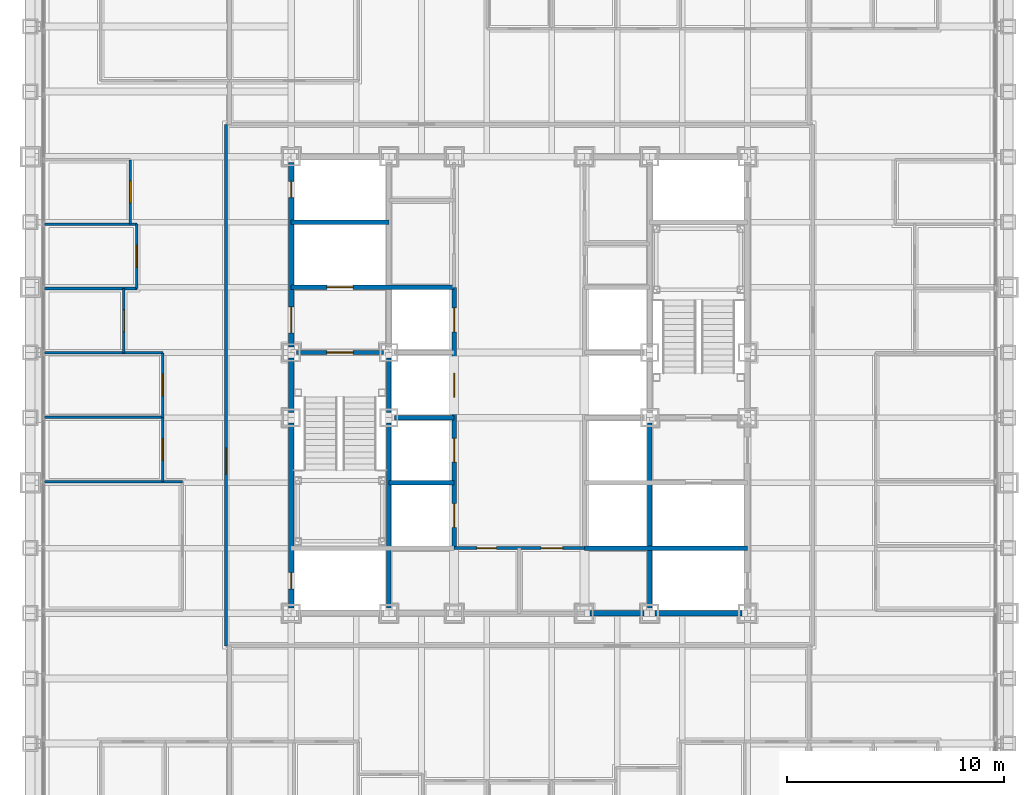
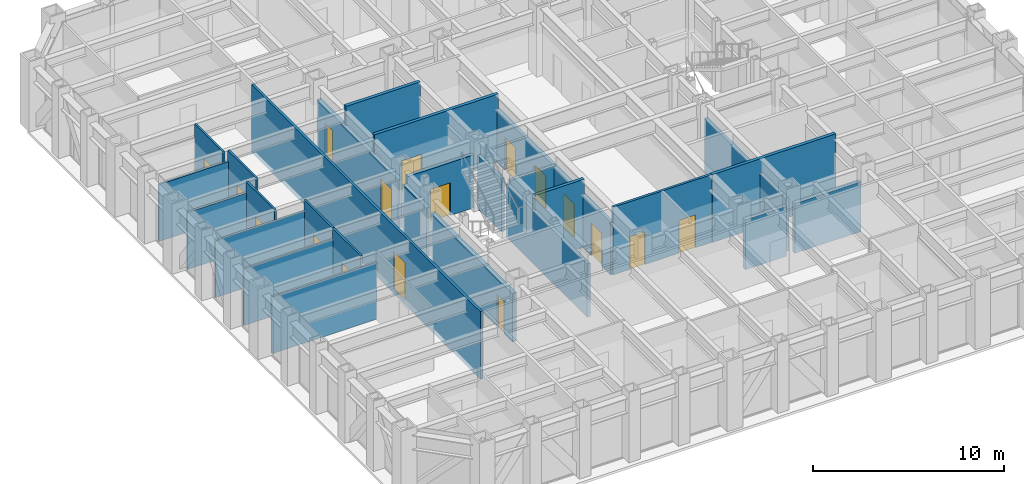
# One storey, part 9 of 16: 27 walls, 17 doors, 17 openings.
"""IFC4 building model written with IfcOpenShell, lengths in metres."""

from ifc_helpers import new_model, si_unit, direction, frame, frame_2d, origin, place, context, subcontext, project, spatial, rectangle, extrude, material, layer, layer_set, type_object, element, fill, save


model = new_model("IFC4")

# Units and contexts
model_context = context("Model", 3, precision=1e-05, world=origin(), true_north=direction((0.0, 1.0)))
body_context = subcontext(model_context, "Body", "Model", "MODEL_VIEW")
ifc_project = project(units=[si_unit("LENGTHUNIT", "METRE"), si_unit("AREAUNIT", "SQUARE_METRE"), si_unit("VOLUMEUNIT", "CUBIC_METRE"), si_unit("PLANEANGLEUNIT", "RADIAN"), si_unit("MASSUNIT", "GRAM", prefix="KILO")], contexts=[model_context])

# Site, building, storey
site_placement = place(None, origin())
site = spatial("IfcSite", under=ifc_project, at=site_placement, CompositionType="ELEMENT")
building_placement = place(site_placement, origin())
building = spatial("IfcBuilding", under=site, at=building_placement, Name="Chuquiago Exchange Tower", CompositionType="ELEMENT")
storey_placement = place(building_placement, frame((0.0, 0.0, 78.300048828125)))
storey = spatial("IfcBuildingStorey", under=building, at=storey_placement, Name="L16", CompositionType="ELEMENT", Elevation=78.300048828125)

# Wall, opening, door
ifc_material_1 = material(Name="Concrete masonry, fully grouted", Category="masonry")
ifc_layer_1 = layer(ifc_material_1, 0.25)
ifc_layer_set_1 = layer_set([ifc_layer_1], Name="W1 core wall 250")
wall_type_1 = type_object("IfcWallType", Name="W1 core wall 250", PredefinedType="SOLIDWALL", material=ifc_layer_set_1)
wall_1_placement = place(storey_placement, frame((12.0, 12.25, 0.0), z_axis=(0.0, 0.0, 1.0), x_axis=(0.0, 1.0, 0.0)))
wall_1 = element("IfcWall", 1, at=wall_1_placement, inside=storey, type_object=wall_type_1, Name="CW-L16-00-0", PredefinedType="SOLIDWALL", context=body_context, shape_type="SweptSolid", body=[
    extrude(rectangle(XDim=8.5, YDim=0.25, at=frame_2d((4.25, 0.0))), origin(), (0.0, 0.0, 1.0), 3.11279296875),
])
opening_1_placement = place(wall_1_placement, frame((0.875, 0.0, 0.0)))
opening_1 = element("IfcOpeningElement", 2, at=opening_1_placement, cuts=wall_1, Name="Opening L16-007", PredefinedType="OPENING", context=body_context, shape_type="SweptSolid", body=[
    extrude(rectangle(XDim=0.75, YDim=2.10009765625, at=frame_2d((0.375, 1.050048828125))), frame((0.0, 0.135009765625, 0.0), z_axis=(0.0, -1.0, 0.0), x_axis=(1.0, 0.0, 0.0)), (0.0, 0.0, 1.0), 0.27001953125),
])
ifc_material_2 = material(Name="Steel door, painted", Category="steel")
door_type_1 = type_object("IfcDoorType", Name="D6 riser access door 750x2100", OperationType="SINGLE_SWING_LEFT", PredefinedType="DOOR", material=ifc_material_2)
door_1_placement = place(opening_1_placement, origin())
door_1 = element("IfcDoor", 3, at=door_1_placement, inside=storey, type_object=door_type_1, Name="Riser RW1 door", OperationType="SINGLE_SWING_LEFT", OverallHeight=2.10009765625, OverallWidth=0.75, PredefinedType="DOOR", context=body_context, shape_type="SweptSolid", body=[
    extrude(rectangle(XDim=0.75, YDim=2.10009765625, at=frame_2d((0.375, 1.050048828125))), frame((0.0, 0.02490234375, 0.0), z_axis=(0.0, -1.0, 0.0), x_axis=(1.0, 0.0, 0.0)), (0.0, 0.0, 1.0), 0.050048828125),
])
fill(opening_1, door_1)

# Wall
wall_2_placement = place(storey_placement, frame((12.0, 21.25, 0.0), z_axis=(0.0, 0.0, 1.0), x_axis=(0.0, 1.0, 0.0)))
element("IfcWall", 4, at=wall_2_placement, inside=storey, type_object=wall_type_1, Name="CW-L16-00-1", PredefinedType="SOLIDWALL", context=body_context, shape_type="SweptSolid", body=[
    extrude(rectangle(XDim=2.5, YDim=0.25, at=frame_2d((1.25, 0.0))), origin(), (0.0, 0.0, 1.0), 3.11279296875),
])

# Wall, openings, doors
wall_3_placement = place(storey_placement, frame((12.0, 24.25, 0.0), z_axis=(0.0, 0.0, 1.0), x_axis=(0.0, 1.0, 0.0)))
wall_3 = element("IfcWall", 5, at=wall_3_placement, inside=storey, type_object=wall_type_1, Name="CW-L16-00-2", PredefinedType="SOLIDWALL", context=body_context, shape_type="SweptSolid", body=[
    extrude(rectangle(XDim=8.5, YDim=0.25, at=frame_2d((4.25, 0.0))), origin(), (0.0, 0.0, 1.0), 3.11279296875),
])
opening_2_placement = place(wall_3_placement, frame((0.64990234375, 0.0, 0.0)))
opening_2 = element("IfcOpeningElement", 6, at=opening_2_placement, cuts=wall_3, Name="Opening L16-002", PredefinedType="OPENING", context=body_context, shape_type="SweptSolid", body=[
    extrude(rectangle(XDim=1.199951171875, YDim=2.10009765625, at=frame_2d((0.60009765625, 1.050048828125))), frame((0.0, 0.135009765625, 0.0), z_axis=(0.0, -1.0, 0.0), x_axis=(1.0, 0.0, 0.0)), (0.0, 0.0, 1.0), 0.27001953125),
])
opening_3_placement = place(wall_3_placement, frame((6.875, 0.0, 0.0)))
opening_3 = element("IfcOpeningElement", 7, at=opening_3_placement, cuts=wall_3, Name="Opening L16-008", PredefinedType="OPENING", context=body_context, shape_type="SweptSolid", body=[
    extrude(rectangle(XDim=0.75, YDim=2.10009765625, at=frame_2d((0.375, 1.050048828125))), frame((0.0, 0.135009765625, 0.0), z_axis=(0.0, -1.0, 0.0), x_axis=(1.0, 0.0, 0.0)), (0.0, 0.0, 1.0), 0.27001953125),
])
ifc_material_3 = material(Name="Steel door, painted", Category="steel")
door_type_2 = type_object("IfcDoorType", Name="D5 firefighting lobby door 1200x2100", OperationType="SINGLE_SWING_LEFT", PredefinedType="DOOR", material=ifc_material_3)
door_2_placement = place(opening_2_placement, frame((1.199951171875, 0.0, 0.0), z_axis=(0.0, 0.0, 1.0), x_axis=(-1.0, 0.0, 0.0)))
door_2 = element("IfcDoor", 8, at=door_2_placement, inside=storey, type_object=door_type_2, Name="Firefighting lobby 1 door", OperationType="SINGLE_SWING_RIGHT", OverallHeight=2.10009765625, OverallWidth=1.199951171875, PredefinedType="DOOR", context=body_context, shape_type="SweptSolid", body=[
    extrude(rectangle(XDim=1.199951171875, YDim=2.10009765625, at=frame_2d((0.60009765625, 1.050048828125))), frame((0.0, 0.02490234375, 0.0), z_axis=(0.0, -1.0, 0.0), x_axis=(1.0, 0.0, 0.0)), (0.0, 0.0, 1.0), 0.050048828125),
])
fill(opening_2, door_2)
door_3_placement = place(opening_3_placement, origin())
door_3 = element("IfcDoor", 9, at=door_3_placement, inside=storey, type_object=door_type_1, Name="Riser RW2 door", OperationType="SINGLE_SWING_RIGHT", OverallHeight=2.10009765625, OverallWidth=0.75, PredefinedType="DOOR", context=body_context, shape_type="SweptSolid", body=[
    extrude(rectangle(XDim=0.75, YDim=2.10009765625, at=frame_2d((0.375, 1.050048828125))), frame((0.0, 0.02490234375, 0.0), z_axis=(0.0, -1.0, 0.0), x_axis=(1.0, 0.0, 0.0)), (0.0, 0.0, 1.0), 0.050048828125),
])
fill(opening_3, door_3)

# Walls
wall_4_placement = place(storey_placement, frame((25.75, 12.0, 0.0), z_axis=(0.0, 0.0, 1.0), x_axis=(1.0, 0.0, 0.0)))
element("IfcWall", 10, at=wall_4_placement, inside=storey, type_object=wall_type_1, Name="CW-L16-02-0", PredefinedType="SOLIDWALL", context=body_context, shape_type="SweptSolid", body=[
    extrude(rectangle(XDim=2.5, YDim=0.25, at=frame_2d((1.25, 0.0))), origin(), (0.0, 0.0, 1.0), 3.181396484375),
])
wall_5_placement = place(storey_placement, frame((28.75, 12.0, 0.0), z_axis=(0.0, 0.0, 1.0), x_axis=(1.0, 0.0, 0.0)))
element("IfcWall", 11, at=wall_5_placement, inside=storey, type_object=wall_type_1, Name="CW-L16-02-1", PredefinedType="SOLIDWALL", context=body_context, shape_type="SweptSolid", body=[
    extrude(rectangle(XDim=4.0, YDim=0.25, at=frame_2d((2.0, 0.0))), origin(), (0.0, 0.0, 1.0), 3.181396484375),
])

# Wall, opening, door
ifc_material_4 = material(Name="Gypsum board on steel studs, acoustic insulation", Category="steel")
ifc_layer_2 = layer(ifc_material_4, 0.14990234375)
ifc_layer_set_2 = layer_set([ifc_layer_2], Name="W11 corridor wall 150")
wall_type_2 = type_object("IfcWallType", Name="W11 corridor wall 150", PredefinedType="PARTITIONING", material=ifc_layer_set_2)
wall_6_placement = place(storey_placement, frame((9.0, 10.5, -0.300048828125), z_axis=(0.0, 0.0, 1.0), x_axis=(0.0, 1.0, 0.0)))
wall_6 = element("IfcWall", 12, at=wall_6_placement, inside=storey, type_object=wall_type_2, Name="PW-L16-CW", PredefinedType="PARTITIONING", context=body_context, shape_type="SweptSolid", body=[
    extrude(rectangle(XDim=24.0, YDim=0.14990234375, at=frame_2d((12.0, 0.0))), origin(), (0.0, 0.0, 1.0), 4.340087890625),
])
opening_4_placement = place(wall_6_placement, frame((7.89990234375, 0.0, 0.300048828125)))
opening_4 = element("IfcOpeningElement", 13, at=opening_4_placement, cuts=wall_6, Name="Opening L16-058", PredefinedType="OPENING", context=body_context, shape_type="SweptSolid", body=[
    extrude(rectangle(XDim=1.199951171875, YDim=2.39990234375, at=frame_2d((0.60009765625, 1.199951171875))), frame((0.0, 0.0849609375, 0.0), z_axis=(0.0, -1.0, 0.0), x_axis=(1.0, 0.0, 0.0)), (0.0, 0.0, 1.0), 0.169921875),
])
ifc_material_5 = material(Name="Timber door, laminate faced", Category="wood")
door_type_3 = type_object("IfcDoorType", Name="D13 suite entrance door 1200x2400", OperationType="SINGLE_SWING_LEFT", PredefinedType="DOOR", material=ifc_material_5)
door_4_placement = place(opening_4_placement, origin())
door_4 = element("IfcDoor", 14, at=door_4_placement, inside=storey, type_object=door_type_3, Name="West suite entrance door", OperationType="SINGLE_SWING_LEFT", OverallHeight=2.39990234375, OverallWidth=1.199951171875, PredefinedType="DOOR", context=body_context, shape_type="SweptSolid", body=[
    extrude(rectangle(XDim=1.199951171875, YDim=2.39990234375, at=frame_2d((0.60009765625, 1.199951171875))), frame((0.0, 0.02490234375, 0.0), z_axis=(0.0, -1.0, 0.0), x_axis=(1.0, 0.0, 0.0)), (0.0, 0.0, 1.0), 0.050048828125),
])
fill(opening_4, door_4)

# Wall
ifc_material_6 = material(Name="Concrete masonry, fully grouted", Category="masonry")
ifc_layer_3 = layer(ifc_material_6, 0.199951171875)
ifc_layer_set_3 = layer_set([ifc_layer_3], Name="W2 shaft wall 200")
wall_type_3 = type_object("IfcWallType", Name="W2 shaft wall 200", PredefinedType="SOLIDWALL", material=ifc_layer_set_3)
wall_7_placement = place(storey_placement, frame((25.5, 15.0, 0.0), z_axis=(0.0, 0.0, 1.0), x_axis=(1.0, 0.0, 0.0)))
element("IfcWall", 15, at=wall_7_placement, inside=storey, type_object=wall_type_3, Name="CW-L16-04-0", PredefinedType="SOLIDWALL", context=body_context, shape_type="SweptSolid", body=[
    extrude(rectangle(XDim=7.5, YDim=0.199951171875, at=frame_2d((3.75, 0.0))), origin(), (0.0, 0.0, 1.0), 4.33984375),
])

# Wall, opening, door
wall_8_placement = place(storey_placement, frame((12.25, 24.0, 0.0), z_axis=(0.0, 0.0, 1.0), x_axis=(1.0, 0.0, 0.0)))
wall_8 = element("IfcWall", 16, at=wall_8_placement, inside=storey, type_object=wall_type_3, Name="CW-L16-05-0", PredefinedType="SOLIDWALL", context=body_context, shape_type="SweptSolid", body=[
    extrude(rectangle(XDim=4.0, YDim=0.199951171875, at=frame_2d((2.0, 0.0))), origin(), (0.0, 0.0, 1.0), 3.389892578125),
])
opening_5_placement = place(wall_8_placement, frame((1.39990234375, 0.0, 0.0)))
opening_5 = element("IfcOpeningElement", 17, at=opening_5_placement, cuts=wall_8, Name="Opening L16-001", PredefinedType="OPENING", context=body_context, shape_type="SweptSolid", body=[
    extrude(rectangle(XDim=1.199951171875, YDim=2.10009765625, at=frame_2d((0.60009765625, 1.050048828125))), frame((0.0, 0.10986328125, 0.0), z_axis=(0.0, -1.0, 0.0), x_axis=(1.0, 0.0, 0.0)), (0.0, 0.0, 1.0), 0.219970703125),
])
ifc_material_7 = material(Name="Steel door, painted", Category="steel")
door_type_4 = type_object("IfcDoorType", Name="D4 stair door 1200x2100", OperationType="SINGLE_SWING_LEFT", PredefinedType="DOOR", material=ifc_material_7)
door_5_placement = place(opening_5_placement, frame((1.199951171875, 0.0, 0.0), z_axis=(0.0, 0.0, 1.0), x_axis=(-1.0, 0.0, 0.0)))
door_5 = element("IfcDoor", 18, at=door_5_placement, inside=storey, type_object=door_type_4, Name="Stair ST1 door", OperationType="SINGLE_SWING_RIGHT", OverallHeight=2.10009765625, OverallWidth=1.199951171875, PredefinedType="DOOR", context=body_context, shape_type="SweptSolid", body=[
    extrude(rectangle(XDim=1.199951171875, YDim=2.10009765625, at=frame_2d((0.60009765625, 1.050048828125))), frame((0.0, 0.02490234375, 0.0), z_axis=(0.0, -1.0, 0.0), x_axis=(1.0, 0.0, 0.0)), (0.0, 0.0, 1.0), 0.050048828125),
])
fill(opening_5, door_5)

wall_9_placement = place(storey_placement, frame((12.0, 27.0, 0.0), z_axis=(0.0, 0.0, 1.0), x_axis=(1.0, 0.0, 0.0)))
wall_9 = element("IfcWall", 19, at=wall_9_placement, inside=storey, type_object=wall_type_3, Name="CW-L16-07-0", PredefinedType="SOLIDWALL", context=body_context, shape_type="SweptSolid", body=[
    extrude(rectangle(XDim=7.5, YDim=0.199951171875, at=frame_2d((3.75, 0.0))), origin(), (0.0, 0.0, 1.0), 4.33984375),
])
opening_6_placement = place(wall_9_placement, frame((1.64990234375, 0.0, 0.0)))
opening_6 = element("IfcOpeningElement", 20, at=opening_6_placement, cuts=wall_9, Name="Opening L16-005", PredefinedType="OPENING", context=body_context, shape_type="SweptSolid", body=[
    extrude(rectangle(XDim=1.199951171875, YDim=2.10009765625, at=frame_2d((0.60009765625, 1.050048828125))), frame((0.0, 0.10986328125, 0.0), z_axis=(0.0, -1.0, 0.0), x_axis=(1.0, 0.0, 0.0)), (0.0, 0.0, 1.0), 0.219970703125),
])
ifc_material_8 = material(Name="Stainless steel lift landing door", Category="steel")
door_type_5 = type_object("IfcDoorType", Name="LD2 firefighting lift landing door 1200x2100", OperationType="DOUBLE_DOOR_SLIDING", PredefinedType="DOOR", material=ifc_material_8)
door_6_placement = place(opening_6_placement, origin())
door_6 = element("IfcDoor", 21, at=door_6_placement, inside=storey, type_object=door_type_5, Name="Firefighting lift FL1 landing door", OperationType="DOUBLE_DOOR_SLIDING", OverallHeight=2.10009765625, OverallWidth=1.199951171875, PredefinedType="DOOR", context=body_context, shape_type="SweptSolid", body=[
    extrude(rectangle(XDim=1.199951171875, YDim=2.10009765625, at=frame_2d((0.60009765625, 1.050048828125))), frame((0.0, 0.02490234375, 0.0), z_axis=(0.0, -1.0, 0.0), x_axis=(1.0, 0.0, 0.0)), (0.0, 0.0, 1.0), 0.050048828125),
])
fill(opening_6, door_6)

# Walls
wall_10_placement = place(storey_placement, frame((12.0, 30.0, 0.0), z_axis=(0.0, 0.0, 1.0), x_axis=(1.0, 0.0, 0.0)))
element("IfcWall", 22, at=wall_10_placement, inside=storey, type_object=wall_type_3, Name="CW-L16-09-0", PredefinedType="SOLIDWALL", context=body_context, shape_type="SweptSolid", body=[
    extrude(rectangle(XDim=4.5, YDim=0.199951171875, at=frame_2d((2.25, 0.0))), origin(), (0.0, 0.0, 1.0), 4.33984375),
])
wall_11_placement = place(storey_placement, frame((16.5, 12.25, 0.0), z_axis=(0.0, 0.0, 1.0), x_axis=(0.0, 1.0, 0.0)))
element("IfcWall", 23, at=wall_11_placement, inside=storey, type_object=wall_type_3, Name="CW-L16-13-0", PredefinedType="SOLIDWALL", context=body_context, shape_type="SweptSolid", body=[
    extrude(rectangle(XDim=8.5, YDim=0.199951171875, at=frame_2d((4.25, 0.0))), origin(), (0.0, 0.0, 1.0), 3.412841796875),
])
wall_12_placement = place(storey_placement, frame((16.5, 21.25, 0.0), z_axis=(0.0, 0.0, 1.0), x_axis=(0.0, 1.0, 0.0)))
element("IfcWall", 24, at=wall_12_placement, inside=storey, type_object=wall_type_3, Name="CW-L16-13-1", PredefinedType="SOLIDWALL", context=body_context, shape_type="SweptSolid", body=[
    extrude(rectangle(XDim=2.5, YDim=0.199951171875, at=frame_2d((1.25, 0.0))), origin(), (0.0, 0.0, 1.0), 3.412841796875),
])
wall_13_placement = place(storey_placement, frame((16.5, 18.0, 0.0), z_axis=(0.0, 0.0, 1.0), x_axis=(1.0, 0.0, 0.0)))
element("IfcWall", 25, at=wall_13_placement, inside=storey, type_object=wall_type_3, Name="CW-L16-14-0", PredefinedType="SOLIDWALL", context=body_context, shape_type="SweptSolid", body=[
    extrude(rectangle(XDim=3.0, YDim=0.199951171875, at=frame_2d((1.5, 0.0))), origin(), (0.0, 0.0, 1.0), 4.33984375),
])
wall_14_placement = place(storey_placement, frame((16.75, 21.0, 0.0), z_axis=(0.0, 0.0, 1.0), x_axis=(1.0, 0.0, 0.0)))
element("IfcWall", 26, at=wall_14_placement, inside=storey, type_object=wall_type_3, Name="CW-L16-16-0", PredefinedType="SOLIDWALL", context=body_context, shape_type="SweptSolid", body=[
    extrude(rectangle(XDim=2.75, YDim=0.199951171875, at=frame_2d((1.375, 0.0))), origin(), (0.0, 0.0, 1.0), 3.389892578125),
])

# Wall, openings, doors
wall_15_placement = place(storey_placement, frame((19.5, 15.0, 0.0), z_axis=(0.0, 0.0, 1.0), x_axis=(0.0, 1.0, 0.0)))
wall_15 = element("IfcWall", 27, at=wall_15_placement, inside=storey, type_object=wall_type_3, Name="CW-L16-19-0", PredefinedType="SOLIDWALL", context=body_context, shape_type="SweptSolid", body=[
    extrude(rectangle(XDim=12.0, YDim=0.199951171875, at=frame_2d((6.0, 0.0))), origin(), (0.0, 0.0, 1.0), 3.364501953125),
])
opening_7_placement = place(wall_15_placement, frame((0.949951171875, 0.0, 0.0)))
opening_7 = element("IfcOpeningElement", 28, at=opening_7_placement, cuts=wall_15, Name="Opening L16-017", PredefinedType="OPENING", context=body_context, shape_type="SweptSolid", body=[
    extrude(rectangle(XDim=1.10009765625, YDim=2.10009765625, at=frame_2d((0.550048828125, 1.050048828125))), frame((0.0, 0.10986328125, 0.0), z_axis=(0.0, -1.0, 0.0), x_axis=(1.0, 0.0, 0.0)), (0.0, 0.0, 1.0), 0.219970703125),
])
opening_8_placement = place(wall_15_placement, frame((3.949951171875, 0.0, 0.0)))
opening_8 = element("IfcOpeningElement", 29, at=opening_8_placement, cuts=wall_15, Name="Opening L16-018", PredefinedType="OPENING", context=body_context, shape_type="SweptSolid", body=[
    extrude(rectangle(XDim=1.10009765625, YDim=2.10009765625, at=frame_2d((0.550048828125, 1.050048828125))), frame((0.0, 0.10986328125, 0.0), z_axis=(0.0, -1.0, 0.0), x_axis=(1.0, 0.0, 0.0)), (0.0, 0.0, 1.0), 0.219970703125),
])
opening_9_placement = place(wall_15_placement, frame((6.949951171875, 0.0, 0.0)))
opening_9 = element("IfcOpeningElement", 30, at=opening_9_placement, cuts=wall_15, Name="Opening L16-019", PredefinedType="OPENING", context=body_context, shape_type="SweptSolid", body=[
    extrude(rectangle(XDim=1.10009765625, YDim=2.10009765625, at=frame_2d((0.550048828125, 1.050048828125))), frame((0.0, 0.10986328125, 0.0), z_axis=(0.0, -1.0, 0.0), x_axis=(1.0, 0.0, 0.0)), (0.0, 0.0, 1.0), 0.219970703125),
])
opening_10_placement = place(wall_15_placement, frame((9.949951171875, 0.0, 0.0)))
opening_10 = element("IfcOpeningElement", 31, at=opening_10_placement, cuts=wall_15, Name="Opening L16-020", PredefinedType="OPENING", context=body_context, shape_type="SweptSolid", body=[
    extrude(rectangle(XDim=1.10009765625, YDim=2.10009765625, at=frame_2d((0.550048828125, 1.050048828125))), frame((0.0, 0.10986328125, 0.0), z_axis=(0.0, -1.0, 0.0), x_axis=(1.0, 0.0, 0.0)), (0.0, 0.0, 1.0), 0.219970703125),
])
ifc_material_9 = material(Name="Stainless steel lift landing door", Category="steel")
door_type_6 = type_object("IfcDoorType", Name="LD1 lift landing door 1100x2100", OperationType="DOUBLE_DOOR_SLIDING", PredefinedType="DOOR", material=ifc_material_9)
door_7_placement = place(opening_7_placement, origin())
door_7 = element("IfcDoor", 32, at=door_7_placement, inside=storey, type_object=door_type_6, Name="Lift LA1 landing door", OperationType="DOUBLE_DOOR_SLIDING", OverallHeight=2.10009765625, OverallWidth=1.10009765625, PredefinedType="DOOR", context=body_context, shape_type="SweptSolid", body=[
    extrude(rectangle(XDim=1.10009765625, YDim=2.10009765625, at=frame_2d((0.550048828125, 1.050048828125))), frame((0.0, 0.02490234375, 0.0), z_axis=(0.0, -1.0, 0.0), x_axis=(1.0, 0.0, 0.0)), (0.0, 0.0, 1.0), 0.050048828125),
])
fill(opening_7, door_7)
door_8_placement = place(opening_8_placement, origin())
door_8 = element("IfcDoor", 33, at=door_8_placement, inside=storey, type_object=door_type_6, Name="Lift LA2 landing door", OperationType="DOUBLE_DOOR_SLIDING", OverallHeight=2.10009765625, OverallWidth=1.10009765625, PredefinedType="DOOR", context=body_context, shape_type="SweptSolid", body=[
    extrude(rectangle(XDim=1.10009765625, YDim=2.10009765625, at=frame_2d((0.550048828125, 1.050048828125))), frame((0.0, 0.02490234375, 0.0), z_axis=(0.0, -1.0, 0.0), x_axis=(1.0, 0.0, 0.0)), (0.0, 0.0, 1.0), 0.050048828125),
])
fill(opening_8, door_8)
door_9_placement = place(opening_9_placement, origin())
door_9 = element("IfcDoor", 34, at=door_9_placement, inside=storey, type_object=door_type_6, Name="Lift LA3 landing door", OperationType="DOUBLE_DOOR_SLIDING", OverallHeight=2.10009765625, OverallWidth=1.10009765625, PredefinedType="DOOR", context=body_context, shape_type="SweptSolid", body=[
    extrude(rectangle(XDim=1.10009765625, YDim=2.10009765625, at=frame_2d((0.550048828125, 1.050048828125))), frame((0.0, 0.02490234375, 0.0), z_axis=(0.0, -1.0, 0.0), x_axis=(1.0, 0.0, 0.0)), (0.0, 0.0, 1.0), 0.050048828125),
])
fill(opening_9, door_9)
door_10_placement = place(opening_10_placement, origin())
door_10 = element("IfcDoor", 35, at=door_10_placement, inside=storey, type_object=door_type_6, Name="Lift LA4 landing door", OperationType="DOUBLE_DOOR_SLIDING", OverallHeight=2.10009765625, OverallWidth=1.10009765625, PredefinedType="DOOR", context=body_context, shape_type="SweptSolid", body=[
    extrude(rectangle(XDim=1.10009765625, YDim=2.10009765625, at=frame_2d((0.550048828125, 1.050048828125))), frame((0.0, 0.02490234375, 0.0), z_axis=(0.0, -1.0, 0.0), x_axis=(1.0, 0.0, 0.0)), (0.0, 0.0, 1.0), 0.050048828125),
])
fill(opening_10, door_10)

# Wall
wall_16_placement = place(storey_placement, frame((28.5, 12.25, 0.0), z_axis=(0.0, 0.0, 1.0), x_axis=(0.0, 1.0, 0.0)))
element("IfcWall", 36, at=wall_16_placement, inside=storey, type_object=wall_type_3, Name="CW-L16-24-0", PredefinedType="SOLIDWALL", context=body_context, shape_type="SweptSolid", body=[
    extrude(rectangle(XDim=8.5, YDim=0.199951171875, at=frame_2d((4.25, 0.0))), origin(), (0.0, 0.0, 1.0), 3.412841796875),
])

# Wall, openings, doors
ifc_material_10 = material(Name="Gypsum board on steel studs", Category="steel")
ifc_layer_4 = layer(ifc_material_10, 0.14990234375)
ifc_layer_set_4 = layer_set([ifc_layer_4], Name="W3 core partition 150")
wall_type_4 = type_object("IfcWallType", Name="W3 core partition 150", PredefinedType="PARTITIONING", material=ifc_layer_set_4)
wall_17_placement = place(storey_placement, frame((19.5, 15.0, 0.0), z_axis=(0.0, 0.0, 1.0), x_axis=(1.0, 0.0, 0.0)))
wall_17 = element("IfcWall", 37, at=wall_17_placement, inside=storey, type_object=wall_type_4, Name="CW-L16-TF", PredefinedType="PARTITIONING", context=body_context, shape_type="SweptSolid", body=[
    extrude(rectangle(XDim=6.0, YDim=0.14990234375, at=frame_2d((3.0, 0.0))), origin(), (0.0, 0.0, 1.0), 4.33984375),
])
opening_11_placement = place(wall_17_placement, frame((4.0, 0.0, 0.0)))
opening_11 = element("IfcOpeningElement", 38, at=opening_11_placement, cuts=wall_17, Name="Opening L16-015", PredefinedType="OPENING", context=body_context, shape_type="SweptSolid", body=[
    extrude(rectangle(XDim=1.0, YDim=2.10009765625, at=frame_2d((0.5, 1.050048828125))), frame((0.0, 0.0849609375, 0.0), z_axis=(0.0, -1.0, 0.0), x_axis=(1.0, 0.0, 0.0)), (0.0, 0.0, 1.0), 0.169921875),
])
opening_12_placement = place(wall_17_placement, frame((1.050048828125, 0.0, 0.0)))
opening_12 = element("IfcOpeningElement", 39, at=opening_12_placement, cuts=wall_17, Name="Opening L16-016", PredefinedType="OPENING", context=body_context, shape_type="SweptSolid", body=[
    extrude(rectangle(XDim=0.89990234375, YDim=2.10009765625, at=frame_2d((0.449951171875, 1.050048828125))), frame((0.0, 0.0849609375, 0.0), z_axis=(0.0, -1.0, 0.0), x_axis=(1.0, 0.0, 0.0)), (0.0, 0.0, 1.0), 0.169921875),
])
ifc_material_11 = material(Name="Timber door, laminate faced", Category="wood")
door_type_7 = type_object("IfcDoorType", Name="D7 toilet door 900x2100", OperationType="SINGLE_SWING_LEFT", PredefinedType="DOOR", material=ifc_material_11)
door_11_placement = place(opening_12_placement, origin())
door_11 = element("IfcDoor", 40, at=door_11_placement, inside=storey, type_object=door_type_7, Name="Cleaner door", OperationType="SINGLE_SWING_LEFT", OverallHeight=2.10009765625, OverallWidth=0.89990234375, PredefinedType="DOOR", context=body_context, shape_type="SweptSolid", body=[
    extrude(rectangle(XDim=0.89990234375, YDim=2.10009765625, at=frame_2d((0.449951171875, 1.050048828125))), frame((0.0, 0.02490234375, 0.0), z_axis=(0.0, -1.0, 0.0), x_axis=(1.0, 0.0, 0.0)), (0.0, 0.0, 1.0), 0.050048828125),
])
fill(opening_12, door_11)
ifc_material_12 = material(Name="Timber door, laminate faced", Category="wood")
door_type_8 = type_object("IfcDoorType", Name="D8 accessible toilet door 1000x2100", OperationType="SLIDING_TO_LEFT", PredefinedType="DOOR", material=ifc_material_12)
door_12_placement = place(opening_11_placement, origin())
door_12 = element("IfcDoor", 41, at=door_12_placement, inside=storey, type_object=door_type_8, Name="Accessible WC door", OperationType="SLIDING_TO_LEFT", OverallHeight=2.10009765625, OverallWidth=1.0, PredefinedType="DOOR", context=body_context, shape_type="SweptSolid", body=[
    extrude(rectangle(XDim=1.0, YDim=2.10009765625, at=frame_2d((0.5, 1.050048828125))), frame((0.0, 0.02490234375, 0.0), z_axis=(0.0, -1.0, 0.0), x_axis=(1.0, 0.0, 0.0)), (0.0, 0.0, 1.0), 0.050048828125),
])
fill(opening_11, door_12)

# Walls
ifc_material_13 = material(Name="Gypsum board on steel studs", Category="steel")
ifc_layer_5 = layer(ifc_material_13, 0.1201171875)
ifc_layer_set_5 = layer_set([ifc_layer_5], Name="W4 partition 120")
wall_type_5 = type_object("IfcWallType", Name="W4 partition 120", PredefinedType="PARTITIONING", material=ifc_layer_set_5)
wall_18_placement = place(storey_placement, frame((0.657470703125, 18.057373046875, -0.300048828125), z_axis=(0.0, 0.0, 1.0), x_axis=(1.0, 0.0, 0.0)))
element("IfcWall", 42, at=wall_18_placement, inside=storey, type_object=wall_type_5, Name="PW-L16-W01806", PredefinedType="PARTITIONING", context=body_context, shape_type="SweptSolid", body=[
    extrude(rectangle(XDim=6.342529296875, YDim=0.1201171875, at=frame_2d((3.17138671875, 0.0))), origin(), (0.0, 0.0, 1.0), 3.646484375),
])
for number, where, z_axis, x_axis, name in (
    (43, (0.657470703125, 21.01904296875, -0.300048828125), (0.0, 0.0, 1.0), (1.0, 0.0, 0.0), "PW-L16-W02102"),
    (44, (0.657470703125, 23.98095703125, -0.300048828125), (0.0, 0.0, 1.0), (1.0, 0.0, 0.0), "PW-L16-W02398"),
):
    element("IfcWall", number, at=place(storey_placement, frame(where, z_axis=z_axis, x_axis=x_axis)), inside=storey, type_object=wall_type_5, Name=name, PredefinedType="PARTITIONING", context=body_context, shape_type="SweptSolid", body=[
        extrude(rectangle(XDim=5.442626953125, YDim=0.1201171875, at=frame_2d((2.72119140625, 0.0))), origin(), (0.0, 0.0, 1.0), 3.646484375),
    ])
for number, where, z_axis, x_axis, name in (
    (45, (0.657470703125, 26.942626953125, -0.300048828125), (0.0, 0.0, 1.0), (1.0, 0.0, 0.0), "PW-L16-W02694"),
    (46, (0.657470703125, 29.904296875, -0.300048828125), (0.0, 0.0, 1.0), (1.0, 0.0, 0.0), "PW-L16-W02990"),
):
    element("IfcWall", number, at=place(storey_placement, frame(where, z_axis=z_axis, x_axis=x_axis)), inside=storey, type_object=wall_type_5, Name=name, PredefinedType="PARTITIONING", context=body_context, shape_type="SweptSolid", body=[
        extrude(rectangle(XDim=4.242431640625, YDim=0.1201171875, at=frame_2d((2.12109375, 0.0))), origin(), (0.0, 0.0, 1.0), 3.646484375),
    ])

# Wall, opening, door
wall_19_placement = place(storey_placement, frame((6.10009765625, 18.057373046875, -0.300048828125), z_axis=(0.0, 0.0, 1.0), x_axis=(0.0, 1.0, 0.0)))
wall_19 = element("IfcWall", 47, at=wall_19_placement, inside=storey, type_object=wall_type_5, Name="PW-L16-WF01806", PredefinedType="PARTITIONING", context=body_context, shape_type="SweptSolid", body=[
    extrude(rectangle(XDim=2.961669921875, YDim=0.1201171875, at=frame_2d((1.48095703125, 0.0))), origin(), (0.0, 0.0, 1.0), 4.340087890625),
])
opening_13_placement = place(wall_19_placement, frame((0.98095703125, 0.0, 0.300048828125)))
opening_13 = element("IfcOpeningElement", 48, at=opening_13_placement, cuts=wall_19, Name="Opening L16-051", PredefinedType="OPENING", context=body_context, shape_type="SweptSolid", body=[
    extrude(rectangle(XDim=1.0, YDim=2.39990234375, at=frame_2d((0.5, 1.199951171875))), frame((0.0, 0.070068359375, 0.0), z_axis=(0.0, -1.0, 0.0), x_axis=(1.0, 0.0, 0.0)), (0.0, 0.0, 1.0), 0.14013671875),
])
ifc_material_14 = material(Name="Timber door, laminate faced", Category="wood")
door_type_9 = type_object("IfcDoorType", Name="D9 room door 1000x2400", OperationType="SINGLE_SWING_LEFT", PredefinedType="DOOR", material=ifc_material_14)
door_13_placement = place(opening_13_placement, origin())
door_13 = element("IfcDoor", 49, at=door_13_placement, inside=storey, type_object=door_type_9, Name="Office door", OperationType="SINGLE_SWING_RIGHT", OverallHeight=2.39990234375, OverallWidth=1.0, PredefinedType="DOOR", context=body_context, shape_type="SweptSolid", body=[
    extrude(rectangle(XDim=1.0, YDim=2.39990234375, at=frame_2d((0.5, 1.199951171875))), frame((0.0, 0.02490234375, 0.0), z_axis=(0.0, -1.0, 0.0), x_axis=(1.0, 0.0, 0.0)), (0.0, 0.0, 1.0), 0.050048828125),
])
fill(opening_13, door_13)

wall_20_placement = place(storey_placement, frame((6.10009765625, 21.01904296875, -0.300048828125), z_axis=(0.0, 0.0, 1.0), x_axis=(0.0, 1.0, 0.0)))
wall_20 = element("IfcWall", 50, at=wall_20_placement, inside=storey, type_object=wall_type_5, Name="PW-L16-WF02102", PredefinedType="PARTITIONING", context=body_context, shape_type="SweptSolid", body=[
    extrude(rectangle(XDim=2.9619140625, YDim=0.1201171875, at=frame_2d((1.48095703125, 0.0))), origin(), (0.0, 0.0, 1.0), 4.340087890625),
])
opening_14_placement = place(wall_20_placement, frame((0.98095703125, 0.0, 0.300048828125)))
opening_14 = element("IfcOpeningElement", 51, at=opening_14_placement, cuts=wall_20, Name="Opening L16-052", PredefinedType="OPENING", context=body_context, shape_type="SweptSolid", body=[
    extrude(rectangle(XDim=1.0, YDim=2.39990234375, at=frame_2d((0.5, 1.199951171875))), frame((0.0, 0.070068359375, 0.0), z_axis=(0.0, -1.0, 0.0), x_axis=(1.0, 0.0, 0.0)), (0.0, 0.0, 1.0), 0.14013671875),
])
door_14_placement = place(opening_14_placement, origin())
door_14 = element("IfcDoor", 52, at=door_14_placement, inside=storey, type_object=door_type_9, Name="Office door", OperationType="SINGLE_SWING_RIGHT", OverallHeight=2.39990234375, OverallWidth=1.0, PredefinedType="DOOR", context=body_context, shape_type="SweptSolid", body=[
    extrude(rectangle(XDim=1.0, YDim=2.39990234375, at=frame_2d((0.5, 1.199951171875))), frame((0.0, 0.02490234375, 0.0), z_axis=(0.0, -1.0, 0.0), x_axis=(1.0, 0.0, 0.0)), (0.0, 0.0, 1.0), 0.050048828125),
])
fill(opening_14, door_14)

wall_21_placement = place(storey_placement, frame((4.300048828125, 23.98095703125, -0.300048828125), z_axis=(0.0, 0.0, 1.0), x_axis=(0.0, 1.0, 0.0)))
wall_21 = element("IfcWall", 53, at=wall_21_placement, inside=storey, type_object=wall_type_5, Name="PW-L16-WF02398", PredefinedType="PARTITIONING", context=body_context, shape_type="SweptSolid", body=[
    extrude(rectangle(XDim=2.961669921875, YDim=0.1201171875, at=frame_2d((1.48095703125, 0.0))), origin(), (0.0, 0.0, 1.0), 4.340087890625),
])
opening_15_placement = place(wall_21_placement, frame((0.98095703125, 0.0, 0.300048828125)))
opening_15 = element("IfcOpeningElement", 54, at=opening_15_placement, cuts=wall_21, Name="Opening L16-053", PredefinedType="OPENING", context=body_context, shape_type="SweptSolid", body=[
    extrude(rectangle(XDim=1.0, YDim=2.39990234375, at=frame_2d((0.5, 1.199951171875))), frame((0.0, 0.070068359375, 0.0), z_axis=(0.0, -1.0, 0.0), x_axis=(1.0, 0.0, 0.0)), (0.0, 0.0, 1.0), 0.14013671875),
])
ifc_material_15 = material(Name="Timber frame door, full height glazed panel", Category="wood")
door_type_10 = type_object("IfcDoorType", Name="D14 glazed meeting room door 1000x2400", OperationType="SINGLE_SWING_LEFT", PredefinedType="DOOR", material=ifc_material_15)
door_15_placement = place(opening_15_placement, origin())
door_15 = element("IfcDoor", 55, at=door_15_placement, inside=storey, type_object=door_type_10, Name="Focus room door", OperationType="SINGLE_SWING_RIGHT", OverallHeight=2.39990234375, OverallWidth=1.0, PredefinedType="DOOR", context=body_context, shape_type="SweptSolid", body=[
    extrude(rectangle(XDim=1.0, YDim=2.39990234375, at=frame_2d((0.5, 1.199951171875))), frame((0.0, 0.02490234375, 0.0), z_axis=(0.0, -1.0, 0.0), x_axis=(1.0, 0.0, 0.0)), (0.0, 0.0, 1.0), 0.050048828125),
])
fill(opening_15, door_15)

wall_22_placement = place(storey_placement, frame((4.89990234375, 26.942626953125, -0.300048828125), z_axis=(0.0, 0.0, 1.0), x_axis=(0.0, 1.0, 0.0)))
wall_22 = element("IfcWall", 56, at=wall_22_placement, inside=storey, type_object=wall_type_5, Name="PW-L16-WF02694", PredefinedType="PARTITIONING", context=body_context, shape_type="SweptSolid", body=[
    extrude(rectangle(XDim=2.961669921875, YDim=0.1201171875, at=frame_2d((1.48095703125, 0.0))), origin(), (0.0, 0.0, 1.0), 4.340087890625),
])
opening_16_placement = place(wall_22_placement, frame((0.98095703125, 0.0, 0.300048828125)))
opening_16 = element("IfcOpeningElement", 57, at=opening_16_placement, cuts=wall_22, Name="Opening L16-054", PredefinedType="OPENING", context=body_context, shape_type="SweptSolid", body=[
    extrude(rectangle(XDim=1.0, YDim=2.39990234375, at=frame_2d((0.5, 1.199951171875))), frame((0.0, 0.070068359375, 0.0), z_axis=(0.0, -1.0, 0.0), x_axis=(1.0, 0.0, 0.0)), (0.0, 0.0, 1.0), 0.14013671875),
])
door_16_placement = place(opening_16_placement, origin())
door_16 = element("IfcDoor", 58, at=door_16_placement, inside=storey, type_object=door_type_9, Name="Pantry door", OperationType="SINGLE_SWING_LEFT", OverallHeight=2.39990234375, OverallWidth=1.0, PredefinedType="DOOR", context=body_context, shape_type="SweptSolid", body=[
    extrude(rectangle(XDim=1.0, YDim=2.39990234375, at=frame_2d((0.5, 1.199951171875))), frame((0.0, 0.02490234375, 0.0), z_axis=(0.0, -1.0, 0.0), x_axis=(1.0, 0.0, 0.0)), (0.0, 0.0, 1.0), 0.050048828125),
])
fill(opening_16, door_16)

wall_23_placement = place(storey_placement, frame((4.60009765625, 29.904296875, -0.300048828125), z_axis=(0.0, 0.0, 1.0), x_axis=(0.0, 1.0, 0.0)))
wall_23 = element("IfcWall", 59, at=wall_23_placement, inside=storey, type_object=wall_type_5, Name="PW-L16-WF02990", PredefinedType="PARTITIONING", context=body_context, shape_type="SweptSolid", body=[
    extrude(rectangle(XDim=2.9619140625, YDim=0.1201171875, at=frame_2d((1.48095703125, 0.0))), origin(), (0.0, 0.0, 1.0), 4.340087890625),
])
opening_17_placement = place(wall_23_placement, frame((0.98095703125, 0.0, 0.300048828125)))
opening_17 = element("IfcOpeningElement", 60, at=opening_17_placement, cuts=wall_23, Name="Opening L16-055", PredefinedType="OPENING", context=body_context, shape_type="SweptSolid", body=[
    extrude(rectangle(XDim=1.0, YDim=2.39990234375, at=frame_2d((0.5, 1.199951171875))), frame((0.0, 0.070068359375, 0.0), z_axis=(0.0, -1.0, 0.0), x_axis=(1.0, 0.0, 0.0)), (0.0, 0.0, 1.0), 0.14013671875),
])
door_17_placement = place(opening_17_placement, origin())
door_17 = element("IfcDoor", 61, at=door_17_placement, inside=storey, type_object=door_type_9, Name="Store door", OperationType="SINGLE_SWING_LEFT", OverallHeight=2.39990234375, OverallWidth=1.0, PredefinedType="DOOR", context=body_context, shape_type="SweptSolid", body=[
    extrude(rectangle(XDim=1.0, YDim=2.39990234375, at=frame_2d((0.5, 1.199951171875))), frame((0.0, 0.02490234375, 0.0), z_axis=(0.0, -1.0, 0.0), x_axis=(1.0, 0.0, 0.0)), (0.0, 0.0, 1.0), 0.050048828125),
])
fill(opening_17, door_17)

save(model, "model.ifc")
